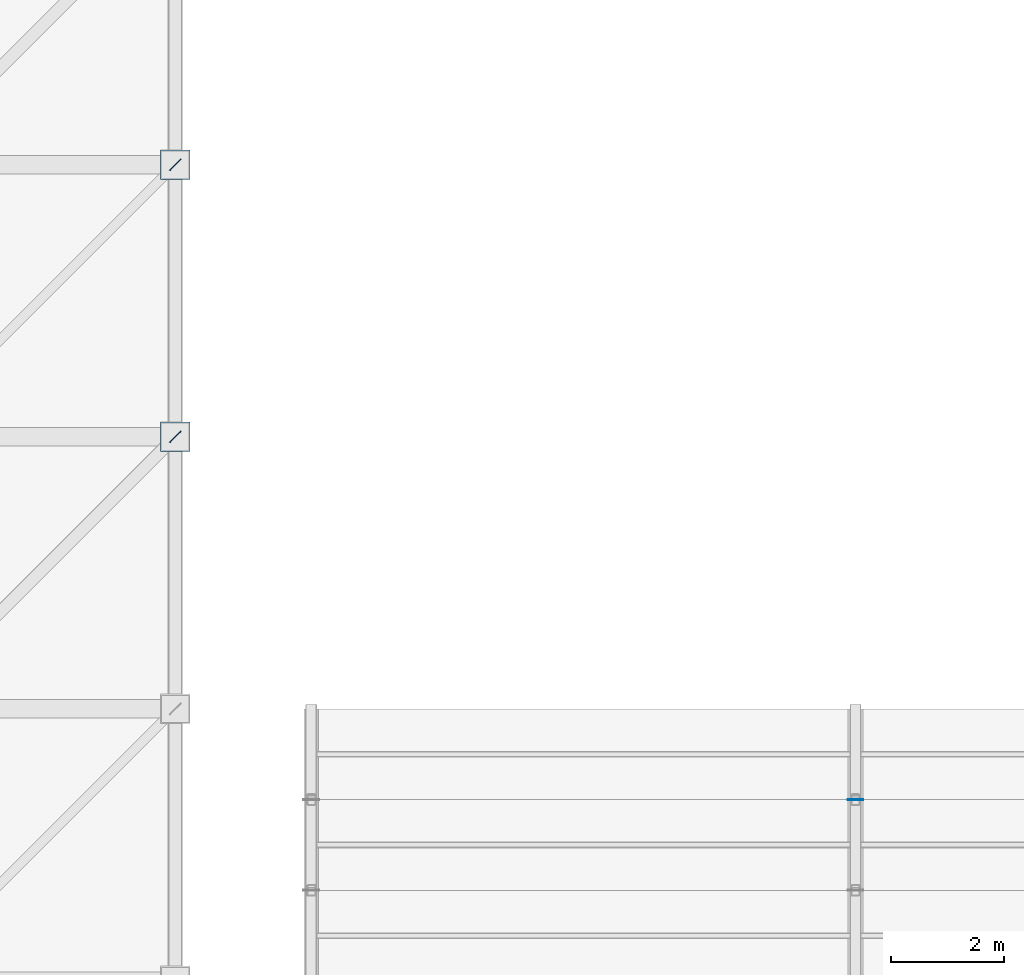
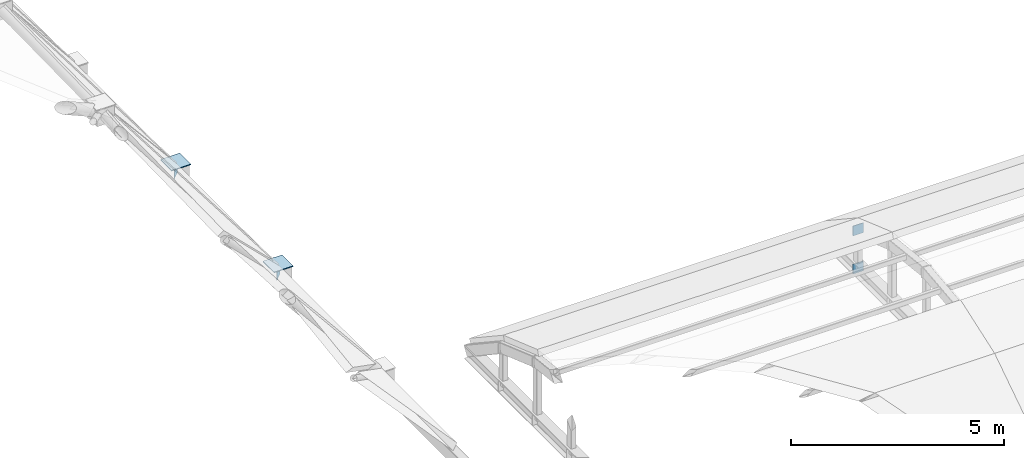
# One storey, part 46 of 70: 6 plates.
"""IFC4 building model written with IfcOpenShell, lengths in metres."""

from ifc_helpers import new_model, si_unit, direction, frame, origin, origin_2d, place, context, subcontext, project, spatial, rectangle, extrude, material, layer, layer_set, type_object, element, save


model = new_model("IFC4")

# Units and contexts
model_context = context("Model", 3, precision=1e-05, world=origin(), true_north=direction((0.0, 1.0)))
body_context = subcontext(model_context, "Body", "Model", "MODEL_VIEW")
ifc_project = project(units=[si_unit("LENGTHUNIT", "METRE"), si_unit("AREAUNIT", "SQUARE_METRE"), si_unit("VOLUMEUNIT", "CUBIC_METRE"), si_unit("PLANEANGLEUNIT", "RADIAN"), si_unit("MASSUNIT", "GRAM", prefix="KILO")], contexts=[model_context])

# Site, building, storey
site_placement = place(None, origin())
site = spatial("IfcSite", under=ifc_project, at=site_placement, CompositionType="ELEMENT")
building_placement = place(site_placement, origin())
building = spatial("IfcBuilding", under=site, at=building_placement, Name="Mavantir Sound Aquarium", CompositionType="ELEMENT")
storey_placement = place(building_placement, frame((0.0, 0.0, 27.0)))
storey = spatial("IfcBuildingStorey", under=building, at=storey_placement, Name="RF", CompositionType="ELEMENT", Elevation=27.0)

# Plates
ifc_material = material(Name="Structural Steel ASTM A572 Gr50", Category="steel")
ifc_layer_1 = layer(ifc_material, 0.01611328125, Name="Structural Steel ASTM A572 Gr50")
ifc_layer_set_1 = layer_set([ifc_layer_1], Name="Structural Steel ASTM A572 Gr50")
plate_type_1 = type_object("IfcPlateType", Name="PLT-GUSSET-16", PredefinedType="SHEET", material=ifc_layer_set_1)
for number, where, z_axis, x_axis, name in (
    (1, (33.60009765625, 55.199951171875, -7.33984375), (0.0, 0.0, 1.0), (0.707106781187, 0.707106781187, 0.0), "Brace end gusset plate GP-01 65"),
    (2, (33.60009765625, 60.0, -7.33984375), (0.0, 0.0, 1.0), (0.707106781187, 0.707106781187, 0.0), "Brace end gusset plate GP-01 66"),
    (3, (45.60009765625, 48.800048828125, -7.52001953125), (0.0, 0.0, 1.0), (1.0, 0.0, 0.0), "Brace end gusset plate GP-01 187"),
    (4, (45.60009765625, 48.800048828125, -6.4287109375), (0.0, 0.0, 1.0), (1.0, 0.0, 0.0), "Brace end gusset plate GP-01 188"),
):
    element("IfcPlate", number, at=place(storey_placement, frame(where, z_axis=z_axis, x_axis=x_axis)), inside=storey, type_object=plate_type_1, Name=name, PredefinedType="SHEET", context=body_context, shape_type="SweptSolid", body=[
        extrude(rectangle(XDim=0.280029296875, YDim=0.01611328125, at=origin_2d()), origin(), (0.0, 0.0, 1.0), 0.280029296875),
    ])
ifc_layer_2 = layer(ifc_material, 0.02490234375, Name="Structural Steel ASTM A572 Gr50")
ifc_layer_set_2 = layer_set([ifc_layer_2], Name="Structural Steel ASTM A572 Gr50")
plate_type_2 = type_object("IfcPlateType", Name="PLT-NODE-25", PredefinedType="SHEET", material=ifc_layer_set_2)
for number, where, z_axis, x_axis, name in (
    (5, (33.60009765625, 55.199951171875, -6.972412109375), (0.0, 0.0, 1.0), (1.0, 0.0, 0.0), "Gridshell steel node cap plate NP-67"),
    (6, (33.60009765625, 60.0, -6.972412109375), (0.0, 0.0, 1.0), (1.0, 0.0, 0.0), "Gridshell steel node cap plate NP-68"),
):
    element("IfcPlate", number, at=place(storey_placement, frame(where, z_axis=z_axis, x_axis=x_axis)), inside=storey, type_object=plate_type_2, Name=name, PredefinedType="SHEET", context=body_context, shape_type="SweptSolid", body=[
        extrude(rectangle(XDim=0.52001953125, YDim=0.52001953125, at=origin_2d()), origin(), (0.0, 0.0, 1.0), 0.02490234375),
    ])

save(model, "model.ifc")
